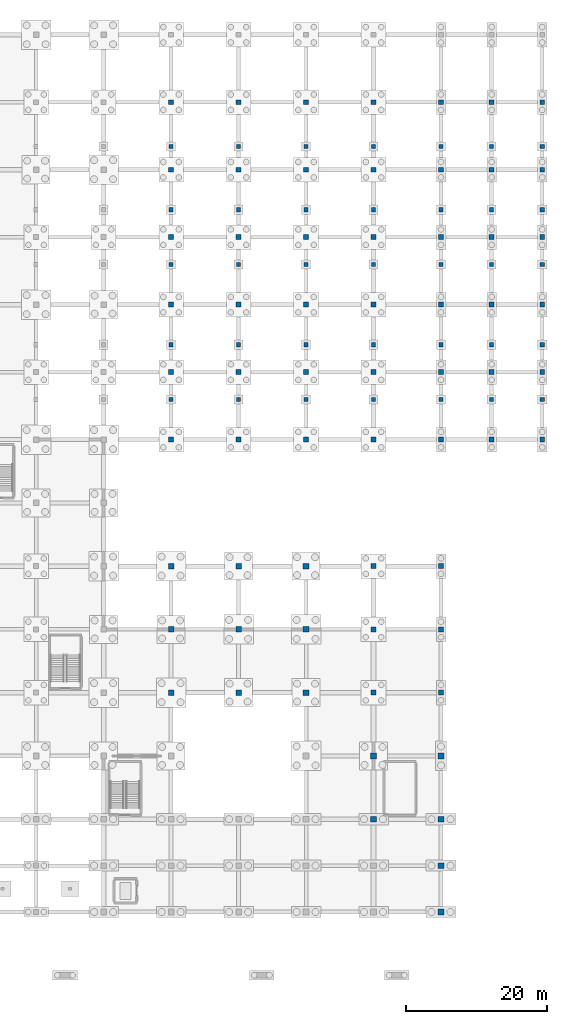
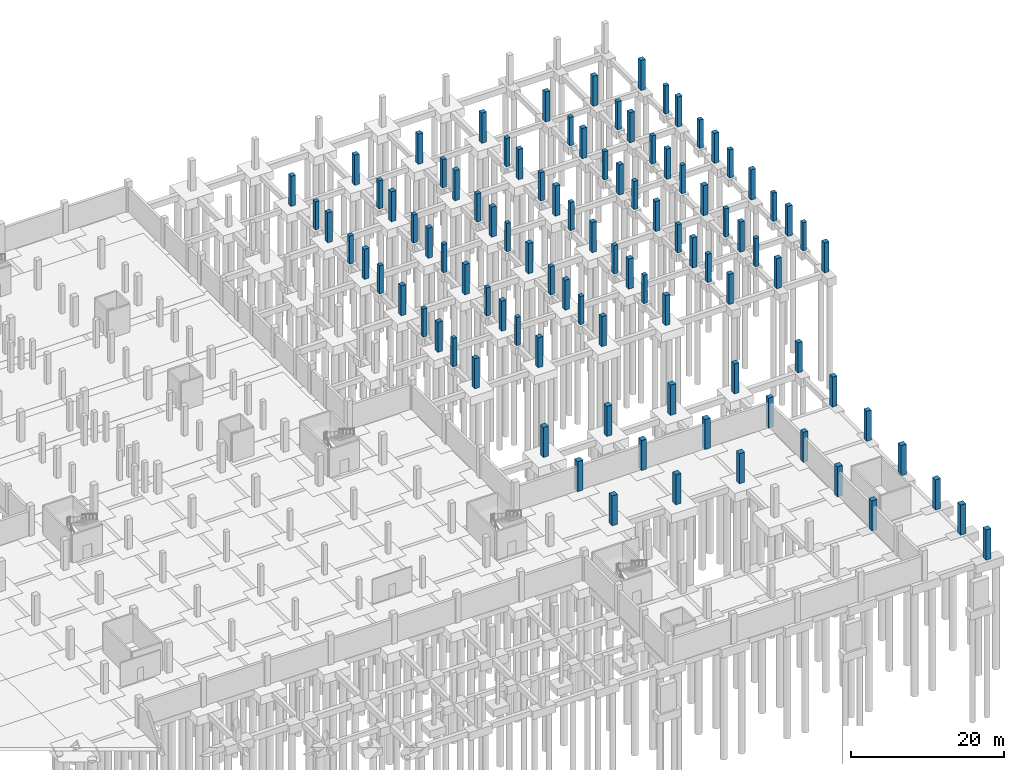
# One storey, part 20 of 39: 98 columns.
"""IFC4 building model written with IfcOpenShell, lengths in metres."""

from ifc_helpers import new_model, si_unit, direction, frame, origin, origin_2d, place, context, subcontext, project, spatial, rectangle, extrude, material, material_profile, profile_set, type_object, element, save


model = new_model("IFC4")

# Units and contexts
model_context = context("Model", 3, precision=1e-05, world=origin(), true_north=direction((0.0, 1.0)))
body_context = subcontext(model_context, "Body", "Model", "MODEL_VIEW")
ifc_project = project(units=[si_unit("LENGTHUNIT", "METRE"), si_unit("AREAUNIT", "SQUARE_METRE"), si_unit("VOLUMEUNIT", "CUBIC_METRE"), si_unit("PLANEANGLEUNIT", "RADIAN"), si_unit("MASSUNIT", "GRAM", prefix="KILO")], contexts=[model_context])

# Site, building, storey
site_placement = place(None, origin())
site = spatial("IfcSite", under=ifc_project, at=site_placement, CompositionType="ELEMENT")
building_placement = place(site_placement, origin())
building = spatial("IfcBuilding", under=site, at=building_placement, Name="Zarnetskaya Central Station", CompositionType="ELEMENT")
storey_placement = place(building_placement, frame((0.0, 0.0, -4.800048828125)))
storey = spatial("IfcBuildingStorey", under=building, at=storey_placement, Name="B1", CompositionType="ELEMENT", Elevation=-4.800048828125)

# Columns
ifc_material = material(Name="Concrete C35/45", Category="concrete")
ifc_material_profile_1 = material_profile(ifc_material, rectangle(XDim=0.800048828125, YDim=0.800048828125, at=origin_2d()), Name="RC 800x800")
ifc_profile_set_1 = profile_set([ifc_material_profile_1], Name="Concrete C35/45")
column_type_1 = type_object("IfcColumnType", Name="COL-B1-PIER3", PredefinedType="COLUMN", material=ifc_profile_set_1)
for number, where, z_axis, x_axis, name in (
    (1, (134.39990234375, 31.199951171875, 0.0), (0.0, 0.0, 1.0), (1.0, 0.0, 0.0), "Column Q5 B1"),
    (2, (134.39990234375, 40.199951171875, 0.0), (0.0, 0.0, 1.0), (1.0, 0.0, 0.0), "Column Q6 B1"),
    (3, (134.39990234375, 49.199951171875, 0.0), (0.0, 0.0, 1.0), (1.0, 0.0, 0.0), "Column Q7 B1"),
    (4, (144.0, 31.199951171875, 0.0), (0.0, 0.0, 1.0), (1.0, 0.0, 0.0), "Column R5 B1"),
    (5, (144.0, 40.199951171875, 0.0), (0.0, 0.0, 1.0), (1.0, 0.0, 0.0), "Column R6 B1"),
    (6, (144.0, 49.199951171875, 0.0), (0.0, 0.0, 1.0), (1.0, 0.0, 0.0), "Column R7 B1"),
    (7, (153.60009765625, 31.199951171875, 0.0), (0.0, 0.0, 1.0), (1.0, 0.0, 0.0), "Column S5 B1"),
    (8, (153.60009765625, 40.199951171875, 0.0), (0.0, 0.0, 1.0), (1.0, 0.0, 0.0), "Column S6 B1"),
    (9, (153.60009765625, 49.199951171875, 0.0), (0.0, 0.0, 1.0), (1.0, 0.0, 0.0), "Column S7 B1"),
    (10, (163.199951171875, 13.199951171875, 0.0), (0.0, 0.0, 1.0), (1.0, 0.0, 0.0), "Column T3 B1"),
    (11, (163.199951171875, 22.199951171875, 0.0), (0.0, 0.0, 1.0), (1.0, 0.0, 0.0), "Column T4 B1"),
    (12, (172.800048828125, 0.0, 0.0), (0.0, 0.0, 1.0), (1.0, 0.0, 0.0), "Column U1 B1"),
    (13, (172.800048828125, 6.60009765625, 0.0), (0.0, 0.0, 1.0), (1.0, 0.0, 0.0), "Column U2 B1"),
    (14, (172.800048828125, 13.199951171875, 0.0), (0.0, 0.0, 1.0), (1.0, 0.0, 0.0), "Column U3 B1"),
    (15, (172.800048828125, 22.199951171875, 0.0), (0.0, 0.0, 1.0), (1.0, 0.0, 0.0), "Column U4 B1"),
):
    element("IfcColumn", number, at=place(storey_placement, frame(where, z_axis=z_axis, x_axis=x_axis)), inside=storey, type_object=column_type_1, Name=name, PredefinedType="COLUMN", context=body_context, shape_type="SweptSolid", body=[
        extrude(rectangle(XDim=0.800048828125, YDim=0.800048828125, at=origin_2d()), origin(), (0.0, 0.0, 1.0), 4.800048828125),
    ])
ifc_material_profile_2 = material_profile(ifc_material, rectangle(XDim=0.699951171875, YDim=0.699951171875, at=origin_2d()), Name="RC 700x700")
ifc_profile_set_2 = profile_set([ifc_material_profile_2], Name="Concrete C35/45")
column_type_2 = type_object("IfcColumnType", Name="COL-B1-PIER4", PredefinedType="COLUMN", material=ifc_profile_set_2)
for number, where, z_axis, x_axis, name in (
    (16, (134.39990234375, 67.199951171875, 0.0), (0.0, 0.0, 1.0), (1.0, 0.0, 0.0), "Column Q9 B1"),
    (17, (134.39990234375, 76.800048828125, 0.0), (0.0, 0.0, 1.0), (1.0, 0.0, 0.0), "Column Q10 B1"),
    (18, (134.39990234375, 86.39990234375, 0.0), (0.0, 0.0, 1.0), (1.0, 0.0, 0.0), "Column Q11 B1"),
    (19, (134.39990234375, 96.0, 0.0), (0.0, 0.0, 1.0), (1.0, 0.0, 0.0), "Column Q12 B1"),
    (20, (134.39990234375, 105.60009765625, 0.0), (0.0, 0.0, 1.0), (1.0, 0.0, 0.0), "Column Q13 B1"),
    (21, (134.39990234375, 115.199951171875, 0.0), (0.0, 0.0, 1.0), (1.0, 0.0, 0.0), "Column Q14 B1"),
    (22, (144.0, 67.199951171875, 0.0), (0.0, 0.0, 1.0), (1.0, 0.0, 0.0), "Column R9 B1"),
    (23, (144.0, 76.800048828125, 0.0), (0.0, 0.0, 1.0), (1.0, 0.0, 0.0), "Column R10 B1"),
    (24, (144.0, 86.39990234375, 0.0), (0.0, 0.0, 1.0), (1.0, 0.0, 0.0), "Column R11 B1"),
    (25, (144.0, 96.0, 0.0), (0.0, 0.0, 1.0), (1.0, 0.0, 0.0), "Column R12 B1"),
    (26, (144.0, 105.60009765625, 0.0), (0.0, 0.0, 1.0), (1.0, 0.0, 0.0), "Column R13 B1"),
    (27, (144.0, 115.199951171875, 0.0), (0.0, 0.0, 1.0), (1.0, 0.0, 0.0), "Column R14 B1"),
    (28, (153.60009765625, 67.199951171875, 0.0), (0.0, 0.0, 1.0), (1.0, 0.0, 0.0), "Column S9 B1"),
    (29, (153.60009765625, 76.800048828125, 0.0), (0.0, 0.0, 1.0), (1.0, 0.0, 0.0), "Column S10 B1"),
    (30, (153.60009765625, 86.39990234375, 0.0), (0.0, 0.0, 1.0), (1.0, 0.0, 0.0), "Column S11 B1"),
    (31, (153.60009765625, 96.0, 0.0), (0.0, 0.0, 1.0), (1.0, 0.0, 0.0), "Column S12 B1"),
    (32, (153.60009765625, 105.60009765625, 0.0), (0.0, 0.0, 1.0), (1.0, 0.0, 0.0), "Column S13 B1"),
    (33, (153.60009765625, 115.199951171875, 0.0), (0.0, 0.0, 1.0), (1.0, 0.0, 0.0), "Column S14 B1"),
    (34, (163.199951171875, 31.199951171875, 0.0), (0.0, 0.0, 1.0), (1.0, 0.0, 0.0), "Column T5 B1"),
    (35, (163.199951171875, 40.199951171875, 0.0), (0.0, 0.0, 1.0), (1.0, 0.0, 0.0), "Column T6 B1"),
    (36, (163.199951171875, 49.199951171875, 0.0), (0.0, 0.0, 1.0), (1.0, 0.0, 0.0), "Column T7 B1"),
    (37, (163.199951171875, 67.199951171875, 0.0), (0.0, 0.0, 1.0), (1.0, 0.0, 0.0), "Column T9 B1"),
    (38, (163.199951171875, 76.800048828125, 0.0), (0.0, 0.0, 1.0), (1.0, 0.0, 0.0), "Column T10 B1"),
    (39, (163.199951171875, 86.39990234375, 0.0), (0.0, 0.0, 1.0), (1.0, 0.0, 0.0), "Column T11 B1"),
    (40, (163.199951171875, 96.0, 0.0), (0.0, 0.0, 1.0), (1.0, 0.0, 0.0), "Column T12 B1"),
    (41, (163.199951171875, 105.60009765625, 0.0), (0.0, 0.0, 1.0), (1.0, 0.0, 0.0), "Column T13 B1"),
    (42, (163.199951171875, 115.199951171875, 0.0), (0.0, 0.0, 1.0), (1.0, 0.0, 0.0), "Column T14 B1"),
    (43, (172.800048828125, 31.199951171875, 0.0), (0.0, 0.0, 1.0), (1.0, 0.0, 0.0), "Column U5 B1"),
    (44, (172.800048828125, 40.199951171875, 0.0), (0.0, 0.0, 1.0), (1.0, 0.0, 0.0), "Column U6 B1"),
    (45, (172.800048828125, 49.199951171875, 0.0), (0.0, 0.0, 1.0), (1.0, 0.0, 0.0), "Column U7 B1"),
    (46, (172.800048828125, 67.199951171875, 0.0), (0.0, 0.0, 1.0), (1.0, 0.0, 0.0), "Column U9 B1"),
    (47, (172.800048828125, 76.800048828125, 0.0), (0.0, 0.0, 1.0), (1.0, 0.0, 0.0), "Column U10 B1"),
    (48, (172.800048828125, 86.39990234375, 0.0), (0.0, 0.0, 1.0), (1.0, 0.0, 0.0), "Column U11 B1"),
    (49, (172.800048828125, 96.0, 0.0), (0.0, 0.0, 1.0), (1.0, 0.0, 0.0), "Column U12 B1"),
    (50, (172.800048828125, 105.60009765625, 0.0), (0.0, 0.0, 1.0), (1.0, 0.0, 0.0), "Column U13 B1"),
    (51, (172.800048828125, 115.199951171875, 0.0), (0.0, 0.0, 1.0), (1.0, 0.0, 0.0), "Column U14 B1"),
    (52, (180.0, 67.199951171875, 0.0), (0.0, 0.0, 1.0), (1.0, 0.0, 0.0), "Column V9 B1"),
    (53, (180.0, 76.800048828125, 0.0), (0.0, 0.0, 1.0), (1.0, 0.0, 0.0), "Column V10 B1"),
    (54, (180.0, 86.39990234375, 0.0), (0.0, 0.0, 1.0), (1.0, 0.0, 0.0), "Column V11 B1"),
    (55, (180.0, 96.0, 0.0), (0.0, 0.0, 1.0), (1.0, 0.0, 0.0), "Column V12 B1"),
    (56, (180.0, 105.60009765625, 0.0), (0.0, 0.0, 1.0), (1.0, 0.0, 0.0), "Column V13 B1"),
    (57, (180.0, 115.199951171875, 0.0), (0.0, 0.0, 1.0), (1.0, 0.0, 0.0), "Column V14 B1"),
    (58, (187.199951171875, 67.199951171875, 0.0), (0.0, 0.0, 1.0), (1.0, 0.0, 0.0), "Column W9 B1"),
    (59, (187.199951171875, 76.800048828125, 0.0), (0.0, 0.0, 1.0), (1.0, 0.0, 0.0), "Column W10 B1"),
    (60, (187.199951171875, 86.39990234375, 0.0), (0.0, 0.0, 1.0), (1.0, 0.0, 0.0), "Column W11 B1"),
    (61, (187.199951171875, 96.0, 0.0), (0.0, 0.0, 1.0), (1.0, 0.0, 0.0), "Column W12 B1"),
    (62, (187.199951171875, 105.60009765625, 0.0), (0.0, 0.0, 1.0), (1.0, 0.0, 0.0), "Column W13 B1"),
    (63, (187.199951171875, 115.199951171875, 0.0), (0.0, 0.0, 1.0), (1.0, 0.0, 0.0), "Column W14 B1"),
):
    element("IfcColumn", number, at=place(storey_placement, frame(where, z_axis=z_axis, x_axis=x_axis)), inside=storey, type_object=column_type_2, Name=name, PredefinedType="COLUMN", context=body_context, shape_type="SweptSolid", body=[
        extrude(rectangle(XDim=0.699951171875, YDim=0.699951171875, at=origin_2d()), origin(), (0.0, 0.0, 1.0), 4.800048828125),
    ])
ifc_material_profile_3 = material_profile(ifc_material, rectangle(XDim=0.60009765625, YDim=0.60009765625, at=origin_2d()), Name="RC 600x600")
ifc_profile_set_3 = profile_set([ifc_material_profile_3], Name="Concrete C35/45")
column_type_3 = type_object("IfcColumnType", Name="COL-B1-PIER5", PredefinedType="COLUMN", material=ifc_profile_set_3)
column_placement = place(storey_placement, frame((134.39990234375, 72.89990234375, 0.0), z_axis=(0.0, 0.0, 1.0), x_axis=(1.0, 0.0, 0.0)))
element("IfcColumn", 64, at=column_placement, inside=storey, type_object=column_type_3, Name="Platform substructure pier P1-QN", PredefinedType="COLUMN", context=body_context, shape_type="SweptSolid", body=[
    extrude(rectangle(XDim=0.60009765625, YDim=0.60009765625, at=origin_2d()), origin(), (0.0, 0.0, 1.0), 4.5),
])
for number, where, z_axis, x_axis, name in (
    (65, (144.0, 72.89990234375, 0.0), (0.0, 0.0, 1.0), (1.0, 0.0, 0.0), "Platform substructure pier P1-RN"),
    (66, (153.60009765625, 72.89990234375, 0.0), (0.0, 0.0, 1.0), (1.0, 0.0, 0.0), "Platform substructure pier P1-SN"),
    (67, (163.199951171875, 72.89990234375, 0.0), (0.0, 0.0, 1.0), (1.0, 0.0, 0.0), "Platform substructure pier P1-TN"),
    (68, (172.800048828125, 72.89990234375, 0.0), (0.0, 0.0, 1.0), (1.0, 0.0, 0.0), "Platform substructure pier P1-UN"),
    (69, (180.0, 72.89990234375, 0.0), (0.0, 0.0, 1.0), (1.0, 0.0, 0.0), "Platform substructure pier P1-VN"),
    (70, (187.199951171875, 72.89990234375, 0.0), (0.0, 0.0, 1.0), (1.0, 0.0, 0.0), "Platform substructure pier P1-WN"),
):
    element("IfcColumn", number, at=place(storey_placement, frame(where, z_axis=z_axis, x_axis=x_axis)), inside=storey, type_object=column_type_3, Name=name, PredefinedType="COLUMN", context=body_context, shape_type="SweptSolid", body=[
        extrude(rectangle(XDim=0.60009765625, YDim=0.60009765625, at=origin_2d()), origin(), (0.0, 0.0, 1.0), 4.510009765625),
    ])
for number, where, z_axis, x_axis, name in (
    (71, (134.39990234375, 80.699951171875, 0.0), (0.0, 0.0, 1.0), (1.0, 0.0, 0.0), "Platform substructure pier P2-QS"),
    (72, (134.39990234375, 92.10009765625, 0.0), (0.0, 0.0, 1.0), (1.0, 0.0, 0.0), "Platform substructure pier P2-QN"),
):
    element("IfcColumn", number, at=place(storey_placement, frame(where, z_axis=z_axis, x_axis=x_axis)), inside=storey, type_object=column_type_3, Name=name, PredefinedType="COLUMN", context=body_context, shape_type="SweptSolid", body=[
        extrude(rectangle(XDim=0.60009765625, YDim=0.60009765625, at=origin_2d()), origin(), (0.0, 0.0, 1.0), 4.5),
    ])
for number, where, z_axis, x_axis, name in (
    (73, (144.0, 80.699951171875, 0.0), (0.0, 0.0, 1.0), (1.0, 0.0, 0.0), "Platform substructure pier P2-RS"),
    (74, (144.0, 92.10009765625, 0.0), (0.0, 0.0, 1.0), (1.0, 0.0, 0.0), "Platform substructure pier P2-RN"),
    (75, (153.60009765625, 80.699951171875, 0.0), (0.0, 0.0, 1.0), (1.0, 0.0, 0.0), "Platform substructure pier P2-SS"),
    (76, (153.60009765625, 92.10009765625, 0.0), (0.0, 0.0, 1.0), (1.0, 0.0, 0.0), "Platform substructure pier P2-SN"),
    (77, (163.199951171875, 80.699951171875, 0.0), (0.0, 0.0, 1.0), (1.0, 0.0, 0.0), "Platform substructure pier P2-TS"),
    (78, (163.199951171875, 92.10009765625, 0.0), (0.0, 0.0, 1.0), (1.0, 0.0, 0.0), "Platform substructure pier P2-TN"),
    (79, (172.800048828125, 80.699951171875, 0.0), (0.0, 0.0, 1.0), (1.0, 0.0, 0.0), "Platform substructure pier P2-US"),
    (80, (172.800048828125, 92.10009765625, 0.0), (0.0, 0.0, 1.0), (1.0, 0.0, 0.0), "Platform substructure pier P2-UN"),
    (81, (180.0, 80.699951171875, 0.0), (0.0, 0.0, 1.0), (1.0, 0.0, 0.0), "Platform substructure pier P2-VS"),
    (82, (180.0, 92.10009765625, 0.0), (0.0, 0.0, 1.0), (1.0, 0.0, 0.0), "Platform substructure pier P2-VN"),
    (83, (187.199951171875, 80.699951171875, 0.0), (0.0, 0.0, 1.0), (1.0, 0.0, 0.0), "Platform substructure pier P2-WS"),
    (84, (187.199951171875, 92.10009765625, 0.0), (0.0, 0.0, 1.0), (1.0, 0.0, 0.0), "Platform substructure pier P2-WN"),
):
    element("IfcColumn", number, at=place(storey_placement, frame(where, z_axis=z_axis, x_axis=x_axis)), inside=storey, type_object=column_type_3, Name=name, PredefinedType="COLUMN", context=body_context, shape_type="SweptSolid", body=[
        extrude(rectangle(XDim=0.60009765625, YDim=0.60009765625, at=origin_2d()), origin(), (0.0, 0.0, 1.0), 4.510009765625),
    ])
for number, where, z_axis, x_axis, name in (
    (85, (134.39990234375, 99.89990234375, 0.0), (0.0, 0.0, 1.0), (1.0, 0.0, 0.0), "Platform substructure pier P3-QS"),
    (86, (134.39990234375, 108.89990234375, 0.0), (0.0, 0.0, 1.0), (1.0, 0.0, 0.0), "Platform substructure pier P3-QN"),
):
    element("IfcColumn", number, at=place(storey_placement, frame(where, z_axis=z_axis, x_axis=x_axis)), inside=storey, type_object=column_type_3, Name=name, PredefinedType="COLUMN", context=body_context, shape_type="SweptSolid", body=[
        extrude(rectangle(XDim=0.60009765625, YDim=0.60009765625, at=origin_2d()), origin(), (0.0, 0.0, 1.0), 4.5),
    ])
for number, where, z_axis, x_axis, name in (
    (87, (144.0, 99.89990234375, 0.0), (0.0, 0.0, 1.0), (1.0, 0.0, 0.0), "Platform substructure pier P3-RS"),
    (88, (144.0, 108.89990234375, 0.0), (0.0, 0.0, 1.0), (1.0, 0.0, 0.0), "Platform substructure pier P3-RN"),
    (89, (153.60009765625, 99.89990234375, 0.0), (0.0, 0.0, 1.0), (1.0, 0.0, 0.0), "Platform substructure pier P3-SS"),
    (90, (153.60009765625, 108.89990234375, 0.0), (0.0, 0.0, 1.0), (1.0, 0.0, 0.0), "Platform substructure pier P3-SN"),
    (91, (163.199951171875, 99.89990234375, 0.0), (0.0, 0.0, 1.0), (1.0, 0.0, 0.0), "Platform substructure pier P3-TS"),
    (92, (163.199951171875, 108.89990234375, 0.0), (0.0, 0.0, 1.0), (1.0, 0.0, 0.0), "Platform substructure pier P3-TN"),
    (93, (172.800048828125, 99.89990234375, 0.0), (0.0, 0.0, 1.0), (1.0, 0.0, 0.0), "Platform substructure pier P3-US"),
    (94, (172.800048828125, 108.89990234375, 0.0), (0.0, 0.0, 1.0), (1.0, 0.0, 0.0), "Platform substructure pier P3-UN"),
    (95, (180.0, 99.89990234375, 0.0), (0.0, 0.0, 1.0), (1.0, 0.0, 0.0), "Platform substructure pier P3-VS"),
    (96, (180.0, 108.89990234375, 0.0), (0.0, 0.0, 1.0), (1.0, 0.0, 0.0), "Platform substructure pier P3-VN"),
    (97, (187.199951171875, 99.89990234375, 0.0), (0.0, 0.0, 1.0), (1.0, 0.0, 0.0), "Platform substructure pier P3-WS"),
    (98, (187.199951171875, 108.89990234375, 0.0), (0.0, 0.0, 1.0), (1.0, 0.0, 0.0), "Platform substructure pier P3-WN"),
):
    element("IfcColumn", number, at=place(storey_placement, frame(where, z_axis=z_axis, x_axis=x_axis)), inside=storey, type_object=column_type_3, Name=name, PredefinedType="COLUMN", context=body_context, shape_type="SweptSolid", body=[
        extrude(rectangle(XDim=0.60009765625, YDim=0.60009765625, at=origin_2d()), origin(), (0.0, 0.0, 1.0), 4.510009765625),
    ])

save(model, "model.ifc")
